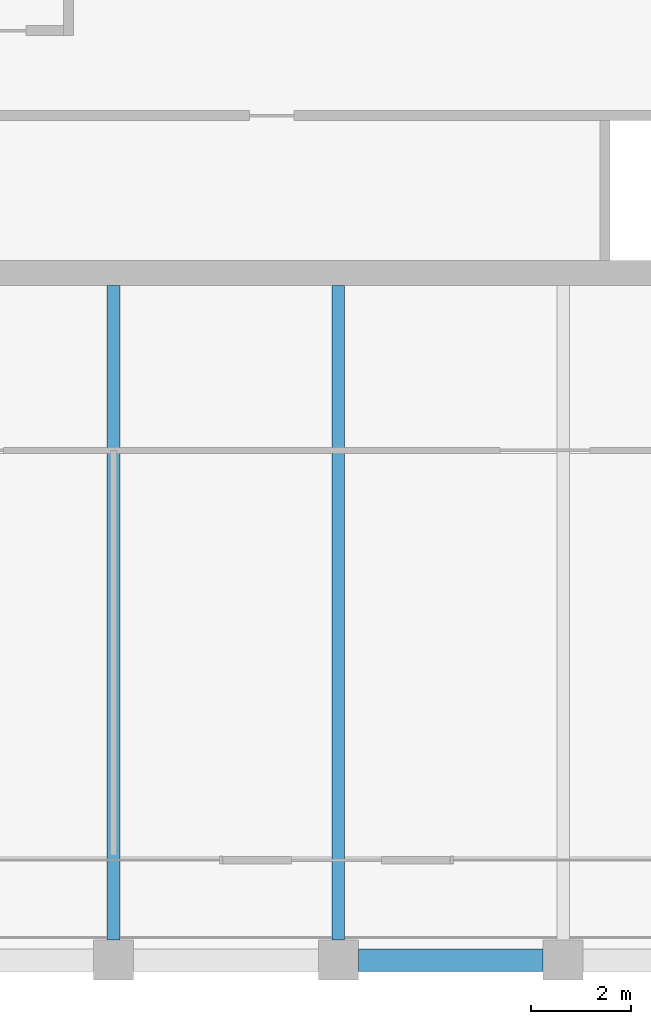
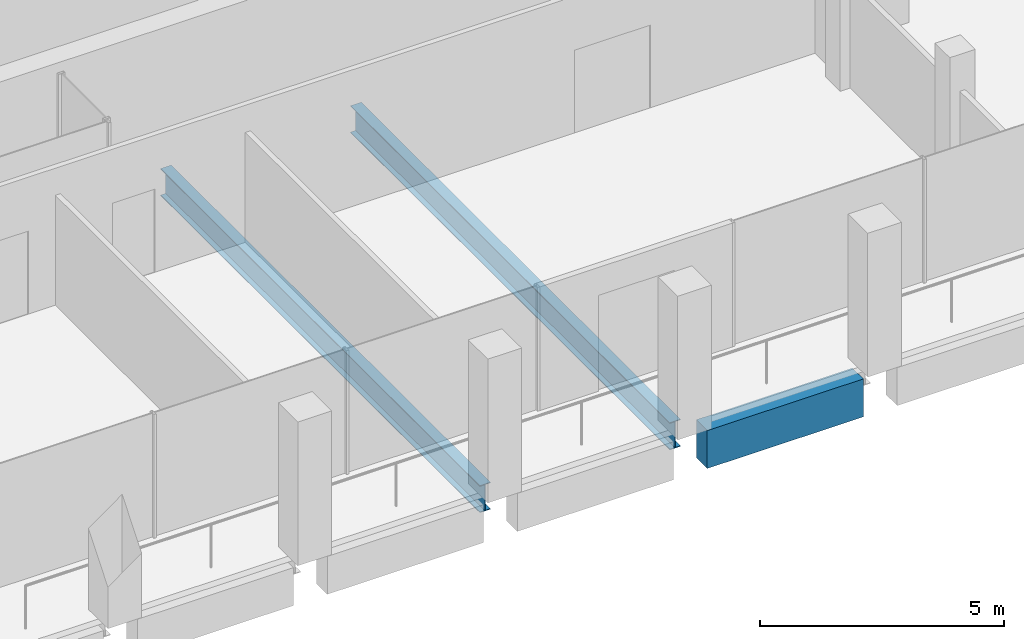
# One storey, part 8 of 30: 3 beams.
"""IFC4 building model written with IfcOpenShell, lengths in metres."""

from ifc_helpers import new_model, si_unit, direction, frame, origin, origin_2d, place, context, subcontext, project, spatial, rectangle, i_section, extrude, material, material_profile, profile_set, type_object, element, save


model = new_model("IFC4")

# Units and contexts
model_context = context("Model", 3, precision=1e-05, world=origin(), true_north=direction((0.0, 1.0)))
body_context = subcontext(model_context, "Body", "Model", "MODEL_VIEW")
ifc_project = project(units=[si_unit("LENGTHUNIT", "METRE"), si_unit("AREAUNIT", "SQUARE_METRE"), si_unit("VOLUMEUNIT", "CUBIC_METRE"), si_unit("PLANEANGLEUNIT", "RADIAN"), si_unit("MASSUNIT", "GRAM", prefix="KILO")], contexts=[model_context])

# Site, building, storey
site_placement = place(None, origin())
site = spatial("IfcSite", under=ifc_project, at=site_placement, CompositionType="ELEMENT")
building_placement = place(site_placement, origin())
building = spatial("IfcBuilding", under=site, at=building_placement, Name="Altepetl Exchange Towers", CompositionType="ELEMENT")
storey_placement = place(building_placement, frame((0.0, 0.0, 231.60009765625)))
storey = spatial("IfcBuildingStorey", under=building, at=storey_placement, Name="L59", CompositionType="ELEMENT", Elevation=231.60009765625)

# Beams
ifc_material_1 = material(Name="Steel S355", Category="steel")
ifc_material_profile_1 = material_profile(ifc_material_1, i_section(OverallWidth=0.2529296875, OverallDepth=0.677978515625, WebThickness=0.01171875, FlangeThickness=0.016357421875, at=origin_2d()), Name="W27X84")
ifc_profile_set_1 = profile_set([ifc_material_profile_1], Name="Steel S355")
beam_type_1 = type_object("IfcBeamType", Name="Floor beam W27X84", PredefinedType="BEAM", material=ifc_profile_set_1)
for number, where, z_axis, x_axis, name in (
    (1, (45.0, 27.39990234375, -0.489013671875), (0.0, 1.0, 0.0), (-1.0, 0.0, 0.0), "bm:A:L59:015"),
    (2, (49.5, 27.39990234375, -0.489013671875), (0.0, 1.0, 0.0), (-1.0, 0.0, 0.0), "bm:A:L59:016"),
):
    element("IfcBeam", number, at=place(storey_placement, frame(where, z_axis=z_axis, x_axis=x_axis)), inside=storey, type_object=beam_type_1, Name=name, PredefinedType="BEAM", context=body_context, shape_type="SweptSolid", body=[
        extrude(i_section(OverallWidth=0.2529296875, OverallDepth=0.677978515625, WebThickness=0.01171875, FlangeThickness=0.016357421875, at=origin_2d()), origin(), (0.0, 0.0, 1.0), 13.10009765625),
    ])
ifc_material_2 = material(Name="Concrete C50/60 precast with cantera blanca facing", Category="concrete")
ifc_material_profile_2 = material_profile(ifc_material_2, rectangle(XDim=0.449951171875, YDim=0.949951171875, at=origin_2d()), Name="450 x 950")
ifc_profile_set_2 = profile_set([ifc_material_profile_2], Name="Concrete C50/60 precast with cantera blanca facing")
beam_type_2 = type_object("IfcBeamType", Name="Spandrel beam 450x950 cantera blanca", PredefinedType="SPANDREL", material=ifc_profile_set_2)
beam_placement = place(storey_placement, frame((49.89990234375, 27.0, -0.625), z_axis=(1.0, 0.0, 0.0), x_axis=(0.0, 1.0, 0.0)))
element("IfcBeam", 3, at=beam_placement, inside=storey, type_object=beam_type_2, Name="sp:A:L59:004", PredefinedType="SPANDREL", context=body_context, shape_type="SweptSolid", body=[
    extrude(rectangle(XDim=0.449951171875, YDim=0.949951171875, at=origin_2d()), origin(), (0.0, 0.0, 1.0), 3.7001953125),
])

save(model, "model.ifc")
